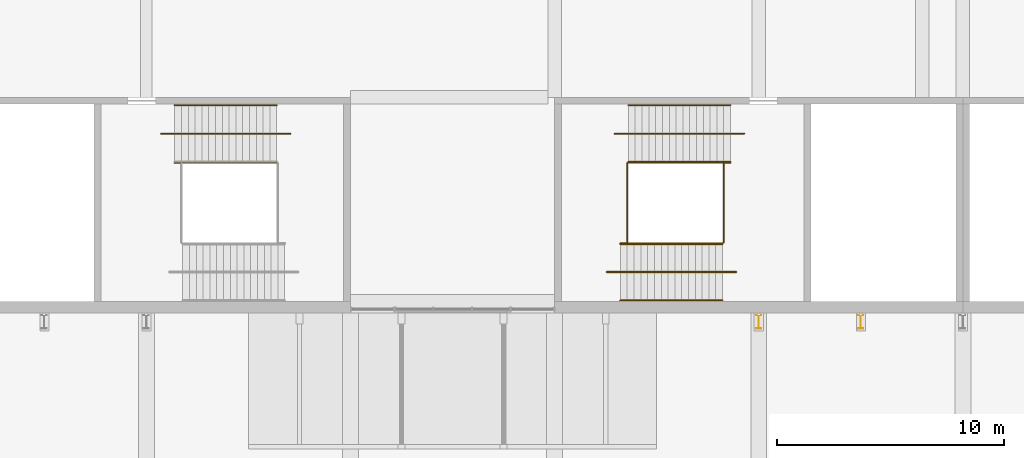
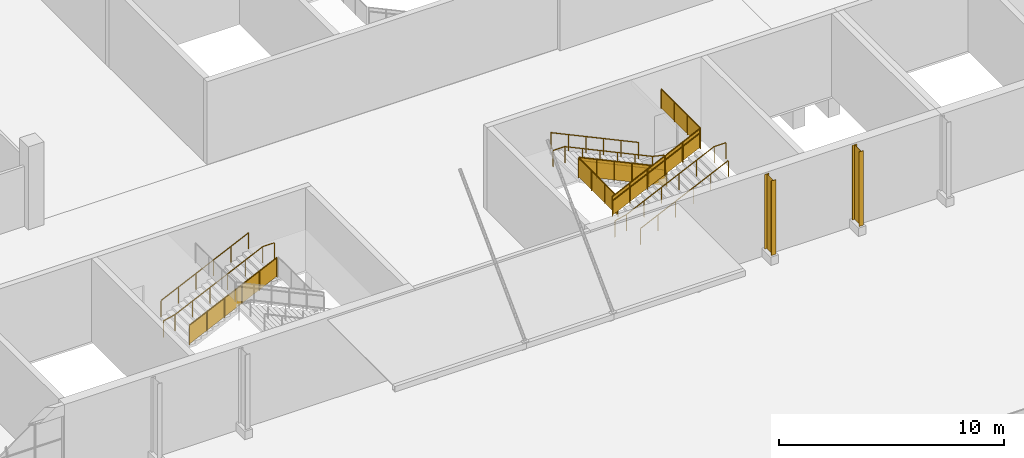
# One storey, part 142 of 168: 13 railings, 2 shading devices.
"""IFC4 building model written with IfcOpenShell, lengths in metres."""

import ifcopenshell
import ifcopenshell.guid

model = None  # the IFC model being written
_history = None  # IfcOwnerHistory: only IFC2X3 demands one
_inside = {}  # id of a spatial element -> (the spatial element, [elements in it])
_under = {}  # id of a project, library or spatial element -> (it, [spatial elements below it])
_declared = {}  # id of a project -> (the project, [libraries it declares])
_typed = {}  # id of a type object -> (the type object, [elements of that type])
_made_of = {}  # id of a material, layer set ... -> (it, [elements and type objects made of it])


def new_model(schema):
    """Start an empty IFC model of exactly this schema.

    Asked for "IFC4X3", IfcOpenShell would pick the latest addendum, in which some entities
    have other attributes; the version numbers below select the first issue.
    IFC2X3 requires an IfcOwnerHistory on every rooted entity: one is made here for all.
    """
    global model, _history
    if schema == "IFC4X3":
        model = ifcopenshell.file(schema_version=(4, 3, 0, 0))
    else:
        model = ifcopenshell.file(schema=schema)
    _inside.clear()
    _under.clear()
    _declared.clear()
    _typed.clear()
    _made_of.clear()
    _history = None
    if model.schema == "IFC2X3":
        org = make("IfcOrganization", Name="unknown")
        user = make(
            "IfcPersonAndOrganization",
            ThePerson=make("IfcPerson", FamilyName="unknown"),
            TheOrganization=org,
        )
        app = make(
            "IfcApplication",
            ApplicationDeveloper=org,
            Version="unknown",
            ApplicationFullName="unknown",
            ApplicationIdentifier="unknown",
        )
        _history = make(
            "IfcOwnerHistory",
            OwningUser=user,
            OwningApplication=app,
            ChangeAction="ADDED",
            CreationDate=0,
        )
    return model


def make(cls, **values):
    """One entity of the class cls with the attributes given. An attribute that is None is left unset."""
    return model.create_entity(
        cls, **{name: value for name, value in values.items() if value is not None}
    )


def rooted(cls, **values):
    """An entity with a GlobalId (a new one), such as an element, a storey or a relation."""
    return make(cls, GlobalId=ifcopenshell.guid.new(), OwnerHistory=_history, **values)


def si_unit(unit_type, name, prefix=None):
    """IfcSIUnit, for example si_unit("LENGTHUNIT", "METRE", prefix="MILLI")."""
    return make("IfcSIUnit", UnitType=unit_type, Prefix=prefix, Name=name)


def assignment(units):
    """IfcUnitAssignment: the units of a project."""
    return None if units is None else make("IfcUnitAssignment", Units=units)


def point(xyz):
    """IfcCartesianPoint."""
    return None if xyz is None else make("IfcCartesianPoint", Coordinates=xyz)


def direction(xyz):
    """IfcDirection."""
    return None if xyz is None else make("IfcDirection", DirectionRatios=xyz)


def frame(location, z_axis=None, x_axis=None):
    """IfcAxis2Placement3D, a coordinate frame: its origin and axes. An axis left out is left unset."""
    return make(
        "IfcAxis2Placement3D",
        Location=point(location),
        Axis=direction(z_axis),
        RefDirection=direction(x_axis),
    )


def frame_2d(location, x_axis=None):
    """IfcAxis2Placement2D, a coordinate frame in the plane: its origin and x axis."""
    return make(
        "IfcAxis2Placement2D", Location=point(location), RefDirection=direction(x_axis)
    )


def origin():
    """The frame at (0, 0, 0) with its axes left unset."""
    return frame((0.0, 0.0, 0.0))


def origin_2d():
    """The frame at (0, 0) in the plane with its x axis left unset."""
    return frame_2d((0.0, 0.0))


def place(relative_to, where):
    """IfcLocalPlacement: puts the frame where relative to a parent placement (None: the world)."""
    return make(
        "IfcLocalPlacement", PlacementRelTo=relative_to, RelativePlacement=where
    )


def context(
    kind, dimensions, precision=None, world=None, true_north=None, identifier=None
):
    """IfcGeometricRepresentationContext, for example the 3D "Model" context."""
    return make(
        "IfcGeometricRepresentationContext",
        ContextIdentifier=identifier,
        ContextType=kind,
        CoordinateSpaceDimension=dimensions,
        Precision=precision,
        WorldCoordinateSystem=world,
        TrueNorth=true_north,
    )


def subcontext(parent, identifier, kind, view, scale=None):
    """IfcGeometricRepresentationSubContext, for example "Body" below "Model"."""
    return make(
        "IfcGeometricRepresentationSubContext",
        ContextIdentifier=identifier,
        ContextType=kind,
        ParentContext=parent,
        TargetScale=scale,
        TargetView=view,
    )


def project(units=None, contexts=None):
    """IfcProject with its units and contexts."""
    return rooted(
        "IfcProject",
        Name="project",
        RepresentationContexts=contexts,
        UnitsInContext=assignment(units),
    )


def spatial(cls, under=None, at=None, **own):
    """A site, building, storey or space (cls), placed at a placement, below another one or the project."""
    s = rooted(cls, ObjectPlacement=at, **own)
    if under is not None:
        _under.setdefault(under.id(), (under, []))[1].append(s)
    return s


def polyline(points):
    """IfcPolyline through the points."""
    return make("IfcPolyline", Points=[point(p) for p in points])


def profile(cls, at=None, kind="AREA", **sizes):
    """A parametric profile (cls). Its sizes go by their IFC names, for example OverallWidth=200.0."""
    return make(cls, ProfileType=kind, Position=at, **sizes)


def circle(**sizes):
    """IfcCircleProfileDef."""
    return profile("IfcCircleProfileDef", **sizes)


def i_section(**sizes):
    """IfcIShapeProfileDef."""
    return profile("IfcIShapeProfileDef", **sizes)


def outline(outer, holes=None, kind="AREA"):
    """IfcArbitraryClosedProfileDef: a profile drawn as a closed curve; with holes, ...WithVoids."""
    if holes is None:
        return make("IfcArbitraryClosedProfileDef", ProfileType=kind, OuterCurve=outer)
    return make(
        "IfcArbitraryProfileDefWithVoids",
        ProfileType=kind,
        OuterCurve=outer,
        InnerCurves=holes,
    )


def extrude(swept, where, along, depth):
    """IfcExtrudedAreaSolid: the profile swept, set in the frame where, extruded along a direction by depth."""
    return make(
        "IfcExtrudedAreaSolid",
        SweptArea=swept,
        Position=where,
        ExtrudedDirection=direction(along),
        Depth=depth,
    )


def shape(context_of_items, identifier, shape_type, items):
    """IfcShapeRepresentation: the items that make up one representation, for example the "Body"."""
    return make(
        "IfcShapeRepresentation",
        ContextOfItems=context_of_items,
        RepresentationIdentifier=identifier,
        RepresentationType=shape_type,
        Items=items,
    )


def material(Name=None, Category=None):
    """IfcMaterial."""
    return make("IfcMaterial", Name=Name, Category=Category)


def material_profile(
    of_material, cross_section, Name=None, Category=None, Priority=None
):
    """IfcMaterialProfile: a cross section and its material."""
    return make(
        "IfcMaterialProfile",
        Name=Name,
        Material=of_material,
        Profile=cross_section,
        Priority=Priority,
        Category=Category,
    )


def profile_set(profiles, Name=None, composite=None):
    """IfcMaterialProfileSet."""
    return make(
        "IfcMaterialProfileSet",
        Name=Name,
        MaterialProfiles=profiles,
        CompositeProfile=composite,
    )


def made_of(thing, what):
    """Note that an element or type object is made of a material, layer set ...; save() writes the relation."""
    if what is not None:
        _made_of.setdefault(what.id(), (what, []))[1].append(thing)
    return thing


def type_object(cls, material=None, **own):
    """A type object (cls), such as IfcWallType, which elements share."""
    return made_of(rooted(cls, **own), material)


def element(
    cls,
    number,
    at=None,
    inside=None,
    cuts=None,
    type_object=None,
    material=None,
    context=None,
    identifier="Body",
    shape_type=None,
    held_by="IfcProductDefinitionShape",
    body=None,
    shapes=None,
    **own,
):
    """One element of the class cls, such as IfcWall. Its Tag is "e" and its number.

    at: its placement. inside: the storey or other place that contains it. cuts: it is an
    opening in that element (IfcRelVoidsElement). A single representation is given by context,
    identifier, shape_type and body (its items); several are given by shapes. held_by: the class
    of the entity that holds the representations. save() writes the other relations.
    """
    e = rooted(cls, Tag="e%d" % number, ObjectPlacement=at, **own)
    if body is not None:
        shapes = [shape(context, identifier, shape_type, body)]
    if shapes is not None:
        e.Representation = make(held_by, Representations=shapes)
    if inside is not None:
        _inside.setdefault(inside.id(), (inside, []))[1].append(e)
    if cuts is not None:
        rooted(
            "IfcRelVoidsElement", RelatingBuildingElement=cuts, RelatedOpeningElement=e
        )
    if type_object is not None:
        _typed.setdefault(type_object.id(), (type_object, []))[1].append(e)
    return made_of(e, material)


def aggregate(whole, parts):
    """IfcRelAggregates: a whole, such as a stair, and the parts it consists of."""
    return rooted("IfcRelAggregates", RelatingObject=whole, RelatedObjects=parts)


def save(model, path):
    """Write the relations noted so far, then the file.

    IfcRelAggregates (storeys below a building ...), IfcRelContainedInSpatialStructure (elements
    in a storey), IfcRelDefinesByType, IfcRelAssociatesMaterial and IfcRelDeclares: one each for
    every whole, place, type object, material and project.
    """
    for whole, parts in _under.values():
        aggregate(whole, parts)
    for where, things in _inside.values():
        rooted(
            "IfcRelContainedInSpatialStructure",
            RelatedElements=things,
            RelatingStructure=where,
        )
    for kind, things in _typed.values():
        rooted("IfcRelDefinesByType", RelatedObjects=things, RelatingType=kind)
    for what, things in _made_of.values():
        rooted("IfcRelAssociatesMaterial", RelatedObjects=things, RelatingMaterial=what)
    for by, libraries in _declared.values():
        rooted("IfcRelDeclares", RelatingContext=by, RelatedDefinitions=libraries)
    model.write(path)


model = new_model("IFC4")

# Units and contexts
model_context = context("Model", 3, precision=1e-05, world=origin(), true_north=direction((0.0, 1.0)))
body_context = subcontext(model_context, "Body", "Model", "MODEL_VIEW")
ifc_project = project(units=[si_unit("LENGTHUNIT", "METRE"), si_unit("AREAUNIT", "SQUARE_METRE"), si_unit("VOLUMEUNIT", "CUBIC_METRE"), si_unit("PLANEANGLEUNIT", "RADIAN"), si_unit("MASSUNIT", "GRAM", prefix="KILO")], contexts=[model_context])

# Site, building, storey
site_placement = place(None, origin())
site = spatial("IfcSite", under=ifc_project, at=site_placement, CompositionType="ELEMENT")
building_placement = place(site_placement, origin())
building = spatial("IfcBuilding", under=site, at=building_placement, Name="Silverbay Arena", CompositionType="ELEMENT")
storey_placement = place(building_placement, frame((0.0, 0.0, 7.0)))
storey = spatial("IfcBuildingStorey", under=building, at=storey_placement, Name="L01", CompositionType="ELEMENT", Elevation=7.0)

# Railings
ifc_material_1 = material(Name="Stainless steel", Category="steel")
railing_type_1 = type_object("IfcRailingType", Name="Stair guard 1100", PredefinedType="GUARDRAIL", material=ifc_material_1)
railing_1_placement = place(storey_placement, frame((88.75341796875, 24.125, 0.140625)))
element("IfcRailing", 1, at=railing_1_placement, inside=storey, type_object=railing_type_1, Name="Stair ST-S1 L01 to L02 flight 1 guard right", PredefinedType="GUARDRAIL", context=body_context, shape_type="SweptSolid", body=[
    extrude(circle(Radius=0.02392578125, at=origin_2d()), frame((0.0, 0.0, 1.076171875), z_axis=(-0.905458935959, 0.0, 0.424433876231), x_axis=(0.0, -1.0, 0.0)), (0.0, 0.0, 1.0), 4.969970703125),
    extrude(outline(polyline([(-0.008056640625, 0.046142578125), (0.907958984375, 0.4755859375), (0.907958984375, 1.478515625), (-0.008056640625, 1.04931640625), (-0.008056640625, 0.046142578125)])), frame((0.0, -0.0029296875, 0.0), z_axis=(0.0, 1.0, 0.0), x_axis=(-1.0, 0.0, 0.0)), (0.0, 0.0, 1.0), 0.006103515625),
    extrude(outline(polyline([(-0.008056640625, 0.468017578125), (0.907958984375, 0.8974609375), (0.907958984375, 1.900390625), (-0.008056640625, 1.47119140625), (-0.008056640625, 0.468017578125)])), frame((-0.89990234375, -0.0029296875, 0.0), z_axis=(0.0, 1.0, 0.0), x_axis=(-1.0, 0.0, 0.0)), (0.0, 0.0, 1.0), 0.006103515625),
    extrude(outline(polyline([(-0.008056640625, 0.889892578125), (0.907958984375, 1.3193359375), (0.907958984375, 2.322265625), (-0.008056640625, 1.89306640625), (-0.008056640625, 0.889892578125)])), frame((-1.800048828125, -0.0029296875, 0.0), z_axis=(0.0, 1.0, 0.0), x_axis=(-1.0, 0.0, 0.0)), (0.0, 0.0, 1.0), 0.006103515625),
    extrude(outline(polyline([(-0.008056640625, 1.311767578125), (0.907958984375, 1.7412109375), (0.907958984375, 2.744140625), (-0.008056640625, 2.31494140625), (-0.008056640625, 1.311767578125)])), frame((-2.699951171875, -0.0029296875, 0.0), z_axis=(0.0, 1.0, 0.0), x_axis=(-1.0, 0.0, 0.0)), (0.0, 0.0, 1.0), 0.006103515625),
    extrude(outline(polyline([(-0.008056640625, 1.733642578125), (0.907958984375, 2.1630859375), (0.907958984375, 3.166015625), (-0.008056640625, 2.73681640625), (-0.008056640625, 1.733642578125)])), frame((-3.60009765625, -0.0029296875, 0.0), z_axis=(0.0, 1.0, 0.0), x_axis=(-1.0, 0.0, 0.0)), (0.0, 0.0, 1.0), 0.006103515625),
    extrude(circle(Radius=0.02099609375, at=origin_2d()), origin(), (0.0, 0.0, 1.0), 1.052001953125),
    extrude(circle(Radius=0.02099609375, at=origin_2d()), frame((-0.89990234375, 0.0, 0.421875)), (0.0, 0.0, 1.0), 1.052001953125),
    extrude(circle(Radius=0.02099609375, at=origin_2d()), frame((-1.800048828125, 0.0, 0.84375)), (0.0, 0.0, 1.0), 1.052001953125),
    extrude(circle(Radius=0.02099609375, at=origin_2d()), frame((-2.699951171875, 0.0, 1.265625)), (0.0, 0.0, 1.0), 1.052001953125),
    extrude(circle(Radius=0.02099609375, at=origin_2d()), frame((-3.60009765625, 0.0, 1.6875)), (0.0, 0.0, 1.0), 1.052001953125),
    extrude(circle(Radius=0.02099609375, at=origin_2d()), frame((-4.5, 0.0, 2.109375)), (0.0, 0.0, 1.0), 1.052001953125),
])
railing_2_placement = place(storey_placement, frame((83.89990234375, 20.574951171875, 2.390625)))
element("IfcRailing", 2, at=railing_2_placement, inside=storey, type_object=railing_type_1, Name="Stair ST-S1 L01 to L02 flight 2 guard left", PredefinedType="GUARDRAIL", context=body_context, shape_type="SweptSolid", body=[
    extrude(circle(Radius=0.02392578125, at=origin_2d()), frame((0.0, 0.0, 1.076171875), z_axis=(0.905458935959, 0.0, 0.424433876231), x_axis=(0.0, 1.0, 0.0)), (0.0, 0.0, 1.0), 4.969970703125),
    extrude(outline(polyline([(-0.008056640625, 0.046142578125), (0.907958984375, 0.4755859375), (0.907958984375, 1.478515625), (-0.008056640625, 1.04931640625), (-0.008056640625, 0.046142578125)])), frame((0.0, 0.0029296875, 0.0), z_axis=(0.0, -1.0, 0.0), x_axis=(1.0, 0.0, 0.0)), (0.0, 0.0, 1.0), 0.006103515625),
    extrude(outline(polyline([(-0.008056640625, 0.468017578125), (0.907958984375, 0.8974609375), (0.907958984375, 1.900390625), (-0.008056640625, 1.47119140625), (-0.008056640625, 0.468017578125)])), frame((0.89990234375, 0.0029296875, 0.0), z_axis=(0.0, -1.0, 0.0), x_axis=(1.0, 0.0, 0.0)), (0.0, 0.0, 1.0), 0.006103515625),
    extrude(outline(polyline([(-0.008056640625, 0.889892578125), (0.907958984375, 1.3193359375), (0.907958984375, 2.322265625), (-0.008056640625, 1.89306640625), (-0.008056640625, 0.889892578125)])), frame((1.800048828125, 0.0029296875, 0.0), z_axis=(0.0, -1.0, 0.0), x_axis=(1.0, 0.0, 0.0)), (0.0, 0.0, 1.0), 0.006103515625),
    extrude(outline(polyline([(-0.008056640625, 1.311767578125), (0.907958984375, 1.7412109375), (0.907958984375, 2.744140625), (-0.008056640625, 2.31494140625), (-0.008056640625, 1.311767578125)])), frame((2.699951171875, 0.0029296875, 0.0), z_axis=(0.0, -1.0, 0.0), x_axis=(1.0, 0.0, 0.0)), (0.0, 0.0, 1.0), 0.006103515625),
    extrude(outline(polyline([(-0.008056640625, 1.733642578125), (0.907958984375, 2.1630859375), (0.907958984375, 3.166015625), (-0.008056640625, 2.73681640625), (-0.008056640625, 1.733642578125)])), frame((3.60009765625, 0.0029296875, 0.0), z_axis=(0.0, -1.0, 0.0), x_axis=(1.0, 0.0, 0.0)), (0.0, 0.0, 1.0), 0.006103515625),
    extrude(circle(Radius=0.02099609375, at=origin_2d()), origin(), (0.0, 0.0, 1.0), 1.052001953125),
    extrude(circle(Radius=0.02099609375, at=origin_2d()), frame((0.89990234375, 0.0, 0.421875)), (0.0, 0.0, 1.0), 1.052001953125),
    extrude(circle(Radius=0.02099609375, at=origin_2d()), frame((1.800048828125, 0.0, 0.84375)), (0.0, 0.0, 1.0), 1.052001953125),
    extrude(circle(Radius=0.02099609375, at=origin_2d()), frame((2.699951171875, 0.0, 1.265625)), (0.0, 0.0, 1.0), 1.052001953125),
    extrude(circle(Radius=0.02099609375, at=origin_2d()), frame((3.60009765625, 0.0, 1.6875)), (0.0, 0.0, 1.0), 1.052001953125),
    extrude(circle(Radius=0.02099609375, at=origin_2d()), frame((4.5, 0.0, 2.109375)), (0.0, 0.0, 1.0), 1.052001953125),
])
for number, where, name in (
    (3, (84.203369140625, 24.10009765625, 2.25), "Stair ST-S1 L01 to L02 landing 1 guard"),
    (4, (88.449951171875, 24.10009765625, 4.5), "Stair ST-S1 L01 to L02 landing 2 guard"),
):
    element("IfcRailing", number, at=place(storey_placement, frame(where)), inside=storey, type_object=railing_type_1, Name=name, PredefinedType="GUARDRAIL", context=body_context, shape_type="SweptSolid", body=[
        extrude(circle(Radius=0.02392578125, at=origin_2d()), frame((0.0, 0.0, 1.076171875), z_axis=(0.0, -1.0, 0.0), x_axis=(1.0, 0.0, 0.0)), (0.0, 0.0, 1.0), 3.5),
        extrude(outline(polyline([(-0.008056640625, 0.050048828125), (1.174560546875, 0.050048828125), (1.174560546875, 1.052978515625), (-0.008056640625, 1.052978515625), (-0.008056640625, 0.050048828125)])), frame((0.0029296875, 0.0, 0.0), z_axis=(-1.0, 0.0, 0.0), x_axis=(0.0, -1.0, 0.0)), (0.0, 0.0, 1.0), 0.006103515625),
        extrude(outline(polyline([(-0.008056640625, 0.050048828125), (1.174560546875, 0.050048828125), (1.174560546875, 1.052978515625), (-0.008056640625, 1.052978515625), (-0.008056640625, 0.050048828125)])), frame((0.0029296875, -1.166748046875, 0.0), z_axis=(-1.0, 0.0, 0.0), x_axis=(0.0, -1.0, 0.0)), (0.0, 0.0, 1.0), 0.006103515625),
        extrude(outline(polyline([(-0.008056640625, 0.050048828125), (1.174560546875, 0.050048828125), (1.174560546875, 1.052978515625), (-0.008056640625, 1.052978515625), (-0.008056640625, 0.050048828125)])), frame((0.0029296875, -2.333251953125, 0.0), z_axis=(-1.0, 0.0, 0.0), x_axis=(0.0, -1.0, 0.0)), (0.0, 0.0, 1.0), 0.006103515625),
        extrude(circle(Radius=0.02099609375, at=origin_2d()), origin(), (0.0, 0.0, 1.0), 1.052001953125),
        extrude(circle(Radius=0.02099609375, at=origin_2d()), frame((0.0, -1.166748046875, 0.0)), (0.0, 0.0, 1.0), 1.052001953125),
        extrude(circle(Radius=0.02099609375, at=origin_2d()), frame((0.0, -2.333251953125, 0.0)), (0.0, 0.0, 1.0), 1.052001953125),
        extrude(circle(Radius=0.02099609375, at=origin_2d()), frame((0.0, -3.5, 0.0)), (0.0, 0.0, 1.0), 1.052001953125),
    ])
railing_3_placement = place(storey_placement, frame((64.24658203125, 24.125, 0.140625)))
element("IfcRailing", 5, at=railing_3_placement, inside=storey, type_object=railing_type_1, Name="Stair ST-S5 L01 to L02 flight 1 guard right", PredefinedType="GUARDRAIL", context=body_context, shape_type="SweptSolid", body=[
    extrude(circle(Radius=0.02392578125, at=origin_2d()), frame((0.0, 0.0, 1.076171875), z_axis=(0.905458935959, 0.0, 0.424433876231), x_axis=(0.0, 1.0, 0.0)), (0.0, 0.0, 1.0), 4.969970703125),
    extrude(outline(polyline([(-0.008056640625, 0.046142578125), (0.907958984375, 0.4755859375), (0.907958984375, 1.478515625), (-0.008056640625, 1.04931640625), (-0.008056640625, 0.046142578125)])), frame((0.0, 0.0029296875, 0.0), z_axis=(0.0, -1.0, 0.0), x_axis=(1.0, 0.0, 0.0)), (0.0, 0.0, 1.0), 0.006103515625),
    extrude(outline(polyline([(-0.008056640625, 0.468017578125), (0.907958984375, 0.8974609375), (0.907958984375, 1.900390625), (-0.008056640625, 1.47119140625), (-0.008056640625, 0.468017578125)])), frame((0.89990234375, 0.0029296875, 0.0), z_axis=(0.0, -1.0, 0.0), x_axis=(1.0, 0.0, 0.0)), (0.0, 0.0, 1.0), 0.006103515625),
    extrude(outline(polyline([(-0.008056640625, 0.889892578125), (0.907958984375, 1.3193359375), (0.907958984375, 2.322265625), (-0.008056640625, 1.89306640625), (-0.008056640625, 0.889892578125)])), frame((1.800048828125, 0.0029296875, 0.0), z_axis=(0.0, -1.0, 0.0), x_axis=(1.0, 0.0, 0.0)), (0.0, 0.0, 1.0), 0.006103515625),
    extrude(outline(polyline([(-0.008056640625, 1.311767578125), (0.907958984375, 1.7412109375), (0.907958984375, 2.744140625), (-0.008056640625, 2.31494140625), (-0.008056640625, 1.311767578125)])), frame((2.699951171875, 0.0029296875, 0.0), z_axis=(0.0, -1.0, 0.0), x_axis=(1.0, 0.0, 0.0)), (0.0, 0.0, 1.0), 0.006103515625),
    extrude(outline(polyline([(-0.008056640625, 1.733642578125), (0.907958984375, 2.1630859375), (0.907958984375, 3.166015625), (-0.008056640625, 2.73681640625), (-0.008056640625, 1.733642578125)])), frame((3.60009765625, 0.0029296875, 0.0), z_axis=(0.0, -1.0, 0.0), x_axis=(1.0, 0.0, 0.0)), (0.0, 0.0, 1.0), 0.006103515625),
    extrude(circle(Radius=0.02099609375, at=origin_2d()), origin(), (0.0, 0.0, 1.0), 1.052001953125),
    extrude(circle(Radius=0.02099609375, at=origin_2d()), frame((0.89990234375, 0.0, 0.421875)), (0.0, 0.0, 1.0), 1.052001953125),
    extrude(circle(Radius=0.02099609375, at=origin_2d()), frame((1.800048828125, 0.0, 0.84375)), (0.0, 0.0, 1.0), 1.052001953125),
    extrude(circle(Radius=0.02099609375, at=origin_2d()), frame((2.699951171875, 0.0, 1.265625)), (0.0, 0.0, 1.0), 1.052001953125),
    extrude(circle(Radius=0.02099609375, at=origin_2d()), frame((3.60009765625, 0.0, 1.6875)), (0.0, 0.0, 1.0), 1.052001953125),
    extrude(circle(Radius=0.02099609375, at=origin_2d()), frame((4.5, 0.0, 2.109375)), (0.0, 0.0, 1.0), 1.052001953125),
])
ifc_material_2 = material(Name="Stainless steel", Category="steel")
railing_type_2 = type_object("IfcRailingType", Name="Stair handrail 900", PredefinedType="HANDRAIL", material=ifc_material_2)
for number, where, name in (
    (6, (88.75341796875, 26.64990234375, 0.140625), "Stair ST-S1 L01 to L02 flight 1 handrail left"),
    (7, (88.75341796875, 24.1640625, 0.140625), "Stair ST-S1 L01 to L02 flight 1 handrail right"),
):
    element("IfcRailing", number, at=place(storey_placement, frame(where)), inside=storey, type_object=railing_type_2, Name=name, PredefinedType="HANDRAIL", context=body_context, shape_type="SweptSolid", body=[
        extrude(circle(Radius=0.02392578125, at=origin_2d()), frame((0.0, 0.0, 0.8759765625), z_axis=(-0.905458935959, 0.0, 0.424433876231), x_axis=(0.0, -1.0, 0.0)), (0.0, 0.0, 1.0), 4.969970703125),
        extrude(circle(Radius=0.02099609375, at=origin_2d()), origin(), (0.0, 0.0, 1.0), 0.851806640625),
        extrude(circle(Radius=0.02099609375, at=origin_2d()), frame((-0.89990234375, 0.0, 0.421875)), (0.0, 0.0, 1.0), 0.851806640625),
        extrude(circle(Radius=0.02099609375, at=origin_2d()), frame((-1.800048828125, 0.0, 0.84375)), (0.0, 0.0, 1.0), 0.851806640625),
        extrude(circle(Radius=0.02099609375, at=origin_2d()), frame((-2.699951171875, 0.0, 1.265625)), (0.0, 0.0, 1.0), 0.851806640625),
        extrude(circle(Radius=0.02099609375, at=origin_2d()), frame((-3.60009765625, 0.0, 1.6875)), (0.0, 0.0, 1.0), 0.851806640625),
        extrude(circle(Radius=0.02099609375, at=origin_2d()), frame((-4.5, 0.0, 2.109375)), (0.0, 0.0, 1.0), 0.851806640625),
    ])
railing_4_placement = place(storey_placement, frame((89.353515625, 25.39990234375, 0.0)))
element("IfcRailing", 8, at=railing_4_placement, inside=storey, type_object=railing_type_2, Name="Stair ST-S1 L01 to L02 flight 1 central handrail", PredefinedType="HANDRAIL", context=body_context, shape_type="SweptSolid", body=[
    extrude(circle(Radius=0.02392578125, at=origin_2d()), frame((0.0, 0.0, 0.8759765625), z_axis=(-0.973624560196, 0.0, 0.228156121511), x_axis=(0.0, -1.0, 0.0)), (0.0, 0.0, 1.0), 0.616455078125),
    extrude(circle(Radius=0.02392578125, at=origin_2d()), frame((-0.60009765625, 0.0, 1.0166015625), z_axis=(-0.905458935959, 0.0, 0.424433876231), x_axis=(0.0, -1.0, 0.0)), (0.0, 0.0, 1.0), 4.969970703125),
    extrude(circle(Radius=0.02392578125, at=origin_2d()), frame((-5.10009765625, 0.0, 3.1259765625), z_axis=(-1.0, 0.0, 0.0), x_axis=(0.0, -1.0, 0.0)), (0.0, 0.0, 1.0), 0.60009765625),
    extrude(circle(Radius=0.02099609375, at=origin_2d()), origin(), (0.0, 0.0, 1.0), 0.851806640625),
    extrude(circle(Radius=0.02099609375, at=origin_2d()), frame((-0.60009765625, 0.0, 0.140625)), (0.0, 0.0, 1.0), 0.851806640625),
    extrude(circle(Radius=0.02099609375, at=origin_2d()), frame((-1.5, 0.0, 0.5625)), (0.0, 0.0, 1.0), 0.851806640625),
    extrude(circle(Radius=0.02099609375, at=origin_2d()), frame((-2.400146484375, 0.0, 0.984375)), (0.0, 0.0, 1.0), 0.851806640625),
    extrude(circle(Radius=0.02099609375, at=origin_2d()), frame((-3.300048828125, 0.0, 1.40625)), (0.0, 0.0, 1.0), 0.851806640625),
    extrude(circle(Radius=0.02099609375, at=origin_2d()), frame((-4.2001953125, 0.0, 1.828125)), (0.0, 0.0, 1.0), 0.851806640625),
    extrude(circle(Radius=0.02099609375, at=origin_2d()), frame((-5.10009765625, 0.0, 2.25)), (0.0, 0.0, 1.0), 0.851806640625),
    extrude(circle(Radius=0.02099609375, at=origin_2d()), frame((-5.7001953125, 0.0, 2.25)), (0.0, 0.0, 1.0), 0.851806640625),
])
for number, where, name in (
    (9, (83.89990234375, 20.535888671875, 2.390625), "Stair ST-S1 L01 to L02 flight 2 handrail left"),
    (10, (83.89990234375, 18.050048828125, 2.390625), "Stair ST-S1 L01 to L02 flight 2 handrail right"),
):
    element("IfcRailing", number, at=place(storey_placement, frame(where)), inside=storey, type_object=railing_type_2, Name=name, PredefinedType="HANDRAIL", context=body_context, shape_type="SweptSolid", body=[
        extrude(circle(Radius=0.02392578125, at=origin_2d()), frame((0.0, 0.0, 0.8759765625), z_axis=(0.905458935959, 0.0, 0.424433876231), x_axis=(0.0, 1.0, 0.0)), (0.0, 0.0, 1.0), 4.969970703125),
        extrude(circle(Radius=0.02099609375, at=origin_2d()), origin(), (0.0, 0.0, 1.0), 0.851806640625),
        extrude(circle(Radius=0.02099609375, at=origin_2d()), frame((0.89990234375, 0.0, 0.421875)), (0.0, 0.0, 1.0), 0.851806640625),
        extrude(circle(Radius=0.02099609375, at=origin_2d()), frame((1.800048828125, 0.0, 0.84375)), (0.0, 0.0, 1.0), 0.851806640625),
        extrude(circle(Radius=0.02099609375, at=origin_2d()), frame((2.699951171875, 0.0, 1.265625)), (0.0, 0.0, 1.0), 0.851806640625),
        extrude(circle(Radius=0.02099609375, at=origin_2d()), frame((3.60009765625, 0.0, 1.6875)), (0.0, 0.0, 1.0), 0.851806640625),
        extrude(circle(Radius=0.02099609375, at=origin_2d()), frame((4.5, 0.0, 2.109375)), (0.0, 0.0, 1.0), 0.851806640625),
    ])
railing_5_placement = place(storey_placement, frame((83.300048828125, 19.300048828125, 2.25)))
element("IfcRailing", 11, at=railing_5_placement, inside=storey, type_object=railing_type_2, Name="Stair ST-S1 L01 to L02 flight 2 central handrail", PredefinedType="HANDRAIL", context=body_context, shape_type="SweptSolid", body=[
    extrude(circle(Radius=0.02392578125, at=origin_2d()), frame((0.0, 0.0, 0.8759765625), z_axis=(0.973603928963, 0.0, 0.228244144519), x_axis=(0.0, 1.0, 0.0)), (0.0, 0.0, 1.0), 0.6162109375),
    extrude(circle(Radius=0.02392578125, at=origin_2d()), frame((0.599853515625, 0.0, 1.0166015625), z_axis=(0.905458935959, 0.0, 0.424433876231), x_axis=(0.0, 1.0, 0.0)), (0.0, 0.0, 1.0), 4.969970703125),
    extrude(circle(Radius=0.02392578125, at=origin_2d()), frame((5.099853515625, 0.0, 3.1259765625), z_axis=(1.0, 0.0, 0.0), x_axis=(0.0, 1.0, 0.0)), (0.0, 0.0, 1.0), 0.60009765625),
    extrude(circle(Radius=0.02099609375, at=origin_2d()), origin(), (0.0, 0.0, 1.0), 0.851806640625),
    extrude(circle(Radius=0.02099609375, at=origin_2d()), frame((0.599853515625, 0.0, 0.140625)), (0.0, 0.0, 1.0), 0.851806640625),
    extrude(circle(Radius=0.02099609375, at=origin_2d()), frame((1.499755859375, 0.0, 0.5625)), (0.0, 0.0, 1.0), 0.851806640625),
    extrude(circle(Radius=0.02099609375, at=origin_2d()), frame((2.39990234375, 0.0, 0.984375)), (0.0, 0.0, 1.0), 0.851806640625),
    extrude(circle(Radius=0.02099609375, at=origin_2d()), frame((3.2998046875, 0.0, 1.40625)), (0.0, 0.0, 1.0), 0.851806640625),
    extrude(circle(Radius=0.02099609375, at=origin_2d()), frame((4.199951171875, 0.0, 1.828125)), (0.0, 0.0, 1.0), 0.851806640625),
    extrude(circle(Radius=0.02099609375, at=origin_2d()), frame((5.099853515625, 0.0, 2.25)), (0.0, 0.0, 1.0), 0.851806640625),
    extrude(circle(Radius=0.02099609375, at=origin_2d()), frame((5.699951171875, 0.0, 2.25)), (0.0, 0.0, 1.0), 0.851806640625),
])
railing_6_placement = place(storey_placement, frame((64.24658203125, 26.64990234375, 0.140625)))
element("IfcRailing", 12, at=railing_6_placement, inside=storey, type_object=railing_type_2, Name="Stair ST-S5 L01 to L02 flight 1 handrail left", PredefinedType="HANDRAIL", context=body_context, shape_type="SweptSolid", body=[
    extrude(circle(Radius=0.02392578125, at=origin_2d()), frame((0.0, 0.0, 0.8759765625), z_axis=(0.905458935959, 0.0, 0.424433876231), x_axis=(0.0, 1.0, 0.0)), (0.0, 0.0, 1.0), 4.969970703125),
    extrude(circle(Radius=0.02099609375, at=origin_2d()), origin(), (0.0, 0.0, 1.0), 0.851806640625),
    extrude(circle(Radius=0.02099609375, at=origin_2d()), frame((0.89990234375, 0.0, 0.421875)), (0.0, 0.0, 1.0), 0.851806640625),
    extrude(circle(Radius=0.02099609375, at=origin_2d()), frame((1.800048828125, 0.0, 0.84375)), (0.0, 0.0, 1.0), 0.851806640625),
    extrude(circle(Radius=0.02099609375, at=origin_2d()), frame((2.699951171875, 0.0, 1.265625)), (0.0, 0.0, 1.0), 0.851806640625),
    extrude(circle(Radius=0.02099609375, at=origin_2d()), frame((3.60009765625, 0.0, 1.6875)), (0.0, 0.0, 1.0), 0.851806640625),
    extrude(circle(Radius=0.02099609375, at=origin_2d()), frame((4.5, 0.0, 2.109375)), (0.0, 0.0, 1.0), 0.851806640625),
])
railing_7_placement = place(storey_placement, frame((63.646484375, 25.39990234375, 0.0)))
element("IfcRailing", 13, at=railing_7_placement, inside=storey, type_object=railing_type_2, Name="Stair ST-S5 L01 to L02 flight 1 central handrail", PredefinedType="HANDRAIL", context=body_context, shape_type="SweptSolid", body=[
    extrude(circle(Radius=0.02392578125, at=origin_2d()), frame((0.0, 0.0, 0.8759765625), z_axis=(0.973624560196, 0.0, 0.228156121511), x_axis=(0.0, 1.0, 0.0)), (0.0, 0.0, 1.0), 0.616455078125),
    extrude(circle(Radius=0.02392578125, at=origin_2d()), frame((0.60009765625, 0.0, 1.0166015625), z_axis=(0.905458935959, 0.0, 0.424433876231), x_axis=(0.0, 1.0, 0.0)), (0.0, 0.0, 1.0), 4.969970703125),
    extrude(circle(Radius=0.02392578125, at=origin_2d()), frame((5.10009765625, 0.0, 3.1259765625), z_axis=(1.0, 0.0, 0.0), x_axis=(0.0, 1.0, 0.0)), (0.0, 0.0, 1.0), 0.60009765625),
    extrude(circle(Radius=0.02099609375, at=origin_2d()), origin(), (0.0, 0.0, 1.0), 0.851806640625),
    extrude(circle(Radius=0.02099609375, at=origin_2d()), frame((0.60009765625, 0.0, 0.140625)), (0.0, 0.0, 1.0), 0.851806640625),
    extrude(circle(Radius=0.02099609375, at=origin_2d()), frame((1.5, 0.0, 0.5625)), (0.0, 0.0, 1.0), 0.851806640625),
    extrude(circle(Radius=0.02099609375, at=origin_2d()), frame((2.400146484375, 0.0, 0.984375)), (0.0, 0.0, 1.0), 0.851806640625),
    extrude(circle(Radius=0.02099609375, at=origin_2d()), frame((3.300048828125, 0.0, 1.40625)), (0.0, 0.0, 1.0), 0.851806640625),
    extrude(circle(Radius=0.02099609375, at=origin_2d()), frame((4.2001953125, 0.0, 1.828125)), (0.0, 0.0, 1.0), 0.851806640625),
    extrude(circle(Radius=0.02099609375, at=origin_2d()), frame((5.10009765625, 0.0, 2.25)), (0.0, 0.0, 1.0), 0.851806640625),
    extrude(circle(Radius=0.02099609375, at=origin_2d()), frame((5.7001953125, 0.0, 2.25)), (0.0, 0.0, 1.0), 0.851806640625),
])

# Shading devices
ifc_material_3 = material(Name="Steel S355", Category="steel")
ifc_material_profile = material_profile(ifc_material_3, i_section(OverallWidth=0.2275390625, OverallDepth=0.6025390625, WebThickness=0.010498046875, FlangeThickness=0.014892578125, at=origin_2d()), Name="UB 610x229x101")
ifc_profile_set = profile_set([ifc_material_profile], Name="Steel S355")
shading_device_type = type_object("IfcShadingDeviceType", Name="Steel fin UB 610x229x101", PredefinedType="USERDEFINED", material=ifc_profile_set)
for number, where, z_axis, x_axis, name in (
    (14, (90.0, 17.0986328125, 0.449951171875), (0.0, 0.0, 1.0), (1.0, 0.0, 0.0), "Steel fin S L01 8"),
    (15, (94.5, 17.0986328125, 0.449951171875), (0.0, 0.0, 1.0), (1.0, 0.0, 0.0), "Steel fin S L01 9"),
):
    element("IfcShadingDevice", number, at=place(storey_placement, frame(where, z_axis=z_axis, x_axis=x_axis)), inside=storey, type_object=shading_device_type, Name=name, ObjectType="FIN", PredefinedType="USERDEFINED", context=body_context, shape_type="SweptSolid", body=[
        extrude(i_section(OverallWidth=0.2275390625, OverallDepth=0.6025390625, WebThickness=0.010498046875, FlangeThickness=0.014892578125, at=origin_2d()), origin(), (0.0, 0.0, 1.0), 4.050048828125),
    ])

save(model, "model.ifc")
